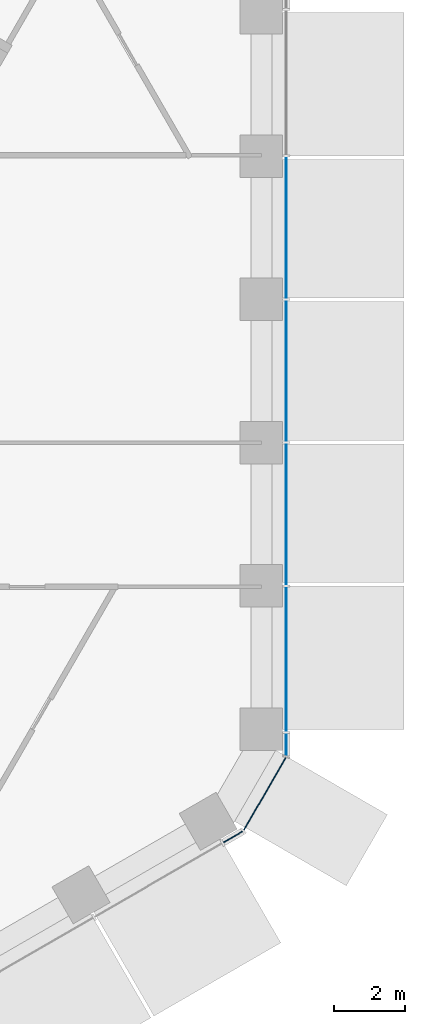
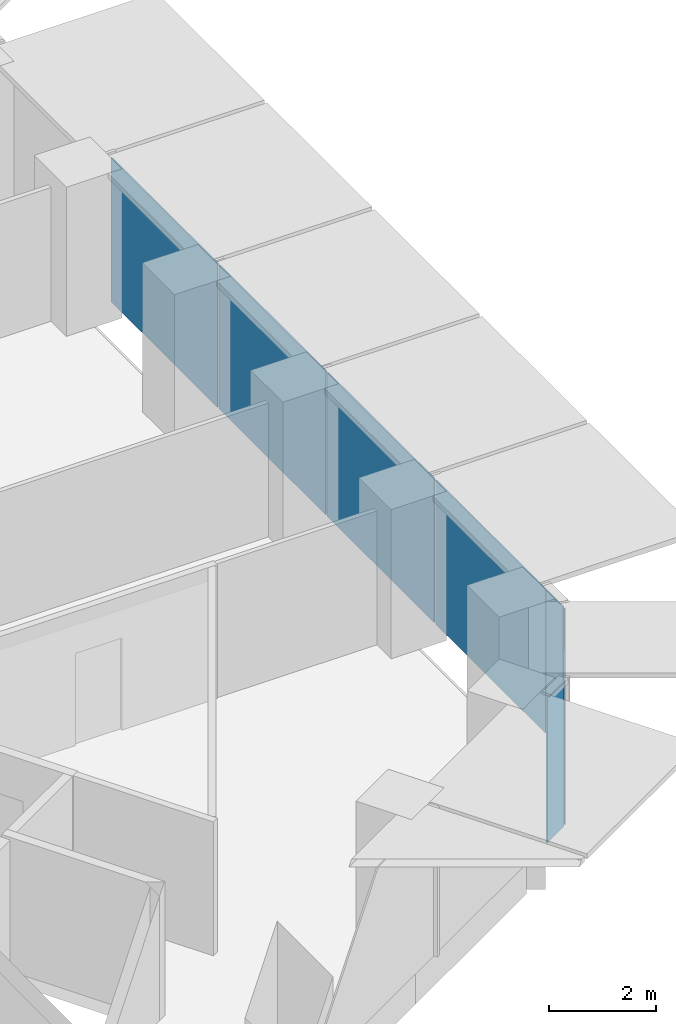
# One storey, part 10 of 19: 7 plates, 2 elements without a shape of their own.
"""IFC4 building model written with IfcOpenShell, lengths in metres."""

from ifc_helpers import new_model, si_unit, direction, frame, origin, origin_2d, place, context, subcontext, project, spatial, rectangle, extrude, material, layer, layer_set, type_object, element, aggregate, save


model = new_model("IFC4")

# Units and contexts
model_context = context("Model", 3, precision=1e-05, world=origin(), true_north=direction((0.0, 1.0)))
body_context = subcontext(model_context, "Body", "Model", "MODEL_VIEW")
ifc_project = project(units=[si_unit("LENGTHUNIT", "METRE"), si_unit("AREAUNIT", "SQUARE_METRE"), si_unit("VOLUMEUNIT", "CUBIC_METRE"), si_unit("PLANEANGLEUNIT", "RADIAN"), si_unit("MASSUNIT", "GRAM", prefix="KILO")], contexts=[model_context])

# Site, building, storey
site_placement = place(None, origin())
site = spatial("IfcSite", under=ifc_project, at=site_placement, CompositionType="ELEMENT")
building_placement = place(site_placement, origin())
building = spatial("IfcBuilding", under=site, at=building_placement, Name="Ayvan Gate Tower", CompositionType="ELEMENT")
storey_placement = place(building_placement, frame((0.0, 0.0, 32.300048828125)))
storey = spatial("IfcBuildingStorey", under=building, at=storey_placement, Name="L07", CompositionType="ELEMENT", Elevation=32.300048828125)

# Curtain wall, plates
ifc_material_1 = material(Name="Bronze anodised aluminium", Category="aluminium")
ifc_layer_1 = layer(ifc_material_1, 0.199951171875)
ifc_layer_set_1 = layer_set([ifc_layer_1], Name="Bronze anodised aluminium")
curtain_wall_type_1 = type_object("IfcCurtainWallType", Name="Stick curtain wall CW-1", PredefinedType="NOTDEFINED", material=ifc_layer_set_1)
curtain_wall_1_placement = place(storey_placement, origin())
curtain_wall_1 = element("IfcCurtainWall", 1, at=curtain_wall_1_placement, inside=storey, type_object=curtain_wall_type_1, Name="Stick curtain wall CW-1 L07", PredefinedType="NOTDEFINED")
ifc_material_2 = material(Name="Clear low-iron laminated glass", Category="glass")
ifc_layer_2 = layer(ifc_material_2, 0.028076171875)
ifc_layer_set_2 = layer_set([ifc_layer_2], Name="Clear low-iron laminated glass")
plate_type_1 = type_object("IfcPlateType", Name="Stick curtain wall CW-1 glass panel", PredefinedType="CURTAIN_PANEL", material=ifc_layer_set_2)
plate_1_placement = place(storey_placement, frame((21.484619140625, -8.140625, 0.0), z_axis=(0.0, 0.0, 1.0), x_axis=(0.0, 1.0, 0.0)))
plate_1 = element("IfcPlate", 2, at=plate_1_placement, type_object=plate_type_1, Name="CW-1 glass panel 1", PredefinedType="CURTAIN_PANEL", context=body_context, shape_type="SweptSolid", body=[
    extrude(rectangle(XDim=4.10498046875, YDim=0.028076171875, at=origin_2d()), origin(), (0.0, 0.0, 1.0), 3.280029296875),
])
plate_2_placement = place(storey_placement, frame((21.484619140625, -4.03857421875, 0.0), z_axis=(0.0, 0.0, 1.0), x_axis=(0.0, 1.0, 0.0)))
plate_2 = element("IfcPlate", 3, at=plate_2_placement, type_object=plate_type_1, Name="CW-1 glass panel 2", PredefinedType="CURTAIN_PANEL", context=body_context, shape_type="SweptSolid", body=[
    extrude(rectangle(XDim=3.97900390625, YDim=0.028076171875, at=origin_2d()), origin(), (0.0, 0.0, 1.0), 3.280029296875),
])
plate_3_placement = place(storey_placement, frame((21.484619140625, 0.0, 0.0), z_axis=(0.0, 0.0, 1.0), x_axis=(0.0, 1.0, 0.0)))
plate_3 = element("IfcPlate", 4, at=plate_3_placement, type_object=plate_type_1, Name="CW-1 glass panel 3", PredefinedType="CURTAIN_PANEL", context=body_context, shape_type="SweptSolid", body=[
    extrude(rectangle(XDim=3.97802734375, YDim=0.028076171875, at=origin_2d()), origin(), (0.0, 0.0, 1.0), 3.280029296875),
])
plate_4_placement = place(storey_placement, frame((21.484619140625, 4.038330078125, 0.0), z_axis=(0.0, 0.0, 1.0), x_axis=(0.0, 1.0, 0.0)))
plate_4 = element("IfcPlate", 5, at=plate_4_placement, type_object=plate_type_1, Name="CW-1 glass panel 4", PredefinedType="CURTAIN_PANEL", context=body_context, shape_type="SweptSolid", body=[
    extrude(rectangle(XDim=3.97900390625, YDim=0.028076171875, at=origin_2d()), origin(), (0.0, 0.0, 1.0), 3.280029296875),
])
aggregate(curtain_wall_1, [plate_1, plate_2, plate_3, plate_4])

ifc_layer_3 = layer(ifc_material_1, 0.199951171875)
ifc_layer_set_3 = layer_set([ifc_layer_3], Name="Bronze anodised aluminium")
curtain_wall_type_2 = type_object("IfcCurtainWallType", Name="Stick curtain wall CW-6", PredefinedType="NOTDEFINED", material=ifc_layer_set_3)
curtain_wall_2_placement = place(storey_placement, origin())
curtain_wall_2 = element("IfcCurtainWall", 6, at=curtain_wall_2_placement, inside=storey, type_object=curtain_wall_type_2, Name="Stick curtain wall CW-6 L07", PredefinedType="NOTDEFINED")
ifc_layer_4 = layer(ifc_material_2, 0.028076171875)
ifc_layer_set_4 = layer_set([ifc_layer_4], Name="Clear low-iron laminated glass")
plate_type_2 = type_object("IfcPlateType", Name="Stick curtain wall CW-6 glass panel", PredefinedType="CURTAIN_PANEL", material=ifc_layer_set_4)
plate_5_placement = place(storey_placement, frame((19.985107421875, -13.1328125, 0.0), z_axis=(0.0, 0.0, 1.0), x_axis=(0.866025403784, 0.5, 0.0)))
plate_5 = element("IfcPlate", 7, at=plate_5_placement, type_object=plate_type_2, Name="CW-6 glass panel 1", PredefinedType="CURTAIN_PANEL", context=body_context, shape_type="SweptSolid", body=[
    extrude(rectangle(XDim=0.625, YDim=0.028076171875, at=origin_2d()), origin(), (0.0, 0.0, 1.0), 3.280029296875),
])
plate_6_placement = place(storey_placement, frame((20.880859375, -11.91845703125, 0.0), z_axis=(0.0, 0.0, 1.0), x_axis=(0.5, 0.866025403784, 0.0)))
plate_6 = element("IfcPlate", 8, at=plate_6_placement, type_object=plate_type_2, Name="CW-6 glass panel 2", PredefinedType="CURTAIN_PANEL", context=body_context, shape_type="SweptSolid", body=[
    extrude(rectangle(XDim=2.364501953125, YDim=0.028076171875, at=origin_2d()), origin(), (0.0, 0.0, 1.0), 3.280029296875),
])
plate_7_placement = place(storey_placement, frame((21.484619140625, -10.53564453125, 0.0), z_axis=(0.0, 0.0, 1.0), x_axis=(0.0, 1.0, 0.0)))
plate_7 = element("IfcPlate", 9, at=plate_7_placement, type_object=plate_type_2, Name="CW-6 glass panel 3", PredefinedType="CURTAIN_PANEL", context=body_context, shape_type="SweptSolid", body=[
    extrude(rectangle(XDim=0.625, YDim=0.028076171875, at=origin_2d()), origin(), (0.0, 0.0, 1.0), 3.280029296875),
])
aggregate(curtain_wall_2, [plate_5, plate_6, plate_7])

save(model, "model.ifc")
